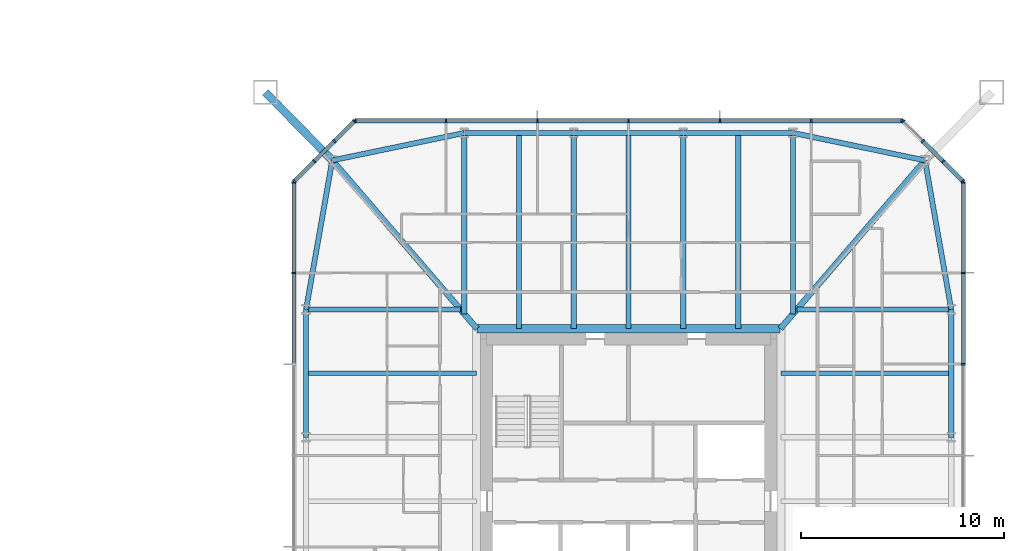
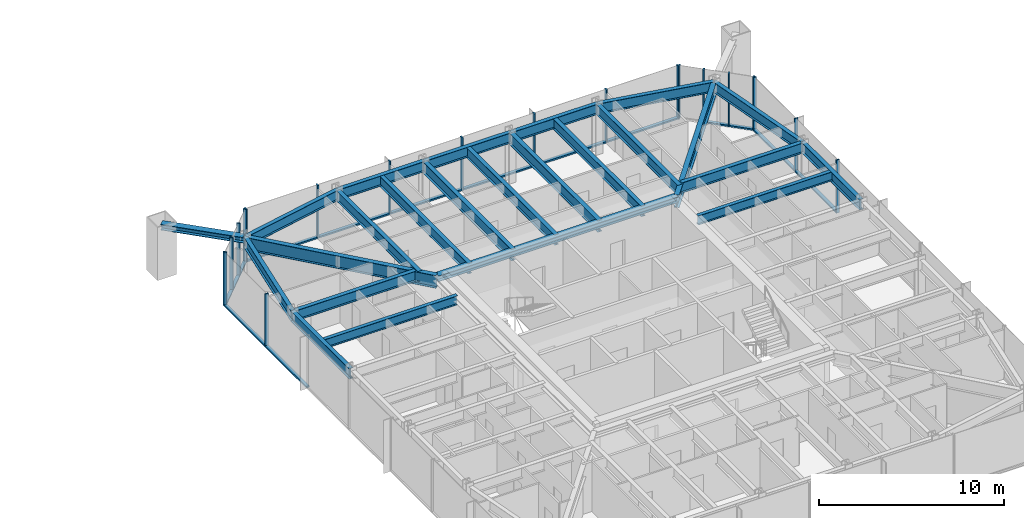
# One storey, part 10 of 26: 36 members, 23 beams, 5 elements without a shape of their own.
"""IFC4 building model written with IfcOpenShell, lengths in metres."""

from ifc_helpers import new_model, si_unit, direction, frame, origin, origin_2d, place, context, subcontext, project, spatial, rectangle, i_section, extrude, material, material_profile, profile_set, type_object, element, aggregate, save


model = new_model("IFC4")

# Units and contexts
model_context = context("Model", 3, precision=1e-05, world=origin(), true_north=direction((0.0, 1.0)))
body_context = subcontext(model_context, "Body", "Model", "MODEL_VIEW")
ifc_project = project(units=[si_unit("LENGTHUNIT", "METRE"), si_unit("AREAUNIT", "SQUARE_METRE"), si_unit("VOLUMEUNIT", "CUBIC_METRE"), si_unit("PLANEANGLEUNIT", "RADIAN"), si_unit("MASSUNIT", "GRAM", prefix="KILO")], contexts=[model_context])

# Site, building, storey
site_placement = place(None, origin())
site = spatial("IfcSite", under=ifc_project, at=site_placement, CompositionType="ELEMENT")
building_placement = place(site_placement, origin())
building = spatial("IfcBuilding", under=site, at=building_placement, Name="Iwan Alto Co-Living Towers", CompositionType="ELEMENT")
storey_placement = place(building_placement, frame((0.0, 0.0, 60.5)))
storey = spatial("IfcBuildingStorey", under=building, at=storey_placement, Name="L16", CompositionType="ELEMENT", Elevation=60.5)

# Curtain wall, members
ifc_material_1 = material(Name="Bronze aluminium unitised frame", Category="aluminium")
curtain_wall_type_1 = type_object("IfcCurtainWallType", Name="CURTAIN WALL CW-C", PredefinedType="NOTDEFINED", material=ifc_material_1)
curtain_wall_1_placement = place(storey_placement, origin())
curtain_wall_1 = element("IfcCurtainWall", 1, at=curtain_wall_1_placement, inside=storey, type_object=curtain_wall_type_1, Name="T2 curtain wall E L16", PredefinedType="NOTDEFINED")
ifc_material_2 = material(Name="Aluminium 6063-T6 bronze anodised", Category="aluminium")
ifc_material_profile_1 = material_profile(ifc_material_2, rectangle(XDim=0.199951171875, YDim=0.080078125, at=origin_2d()), Name="AL 80X200")
ifc_profile_set_1 = profile_set([ifc_material_profile_1], Name="Aluminium 6063-T6 bronze anodised")
member_type_1 = type_object("IfcMemberType", Name="CW-C MULLION 80X200", PredefinedType="MULLION", material=ifc_profile_set_1)
member_1_placement = place(storey_placement, frame((79.5, 6.75, 0.0), z_axis=(0.0, 0.0, 1.0), x_axis=(-1.0, 0.0, 0.0)))
member_1 = element("IfcMember", 2, at=member_1_placement, type_object=member_type_1, Name="CW-C mullion 6", PredefinedType="MULLION", context=body_context, shape_type="SweptSolid", body=[
    extrude(rectangle(XDim=0.199951171875, YDim=0.080078125, at=origin_2d()), origin(), (0.0, 0.0, 1.0), 3.5),
])
member_2_placement = place(storey_placement, frame((79.5, 11.25, 0.0), z_axis=(0.0, 0.0, 1.0), x_axis=(-1.0, 0.0, 0.0)))
member_2 = element("IfcMember", 3, at=member_2_placement, type_object=member_type_1, Name="CW-C mullion 7", PredefinedType="MULLION", context=body_context, shape_type="SweptSolid", body=[
    extrude(rectangle(XDim=0.199951171875, YDim=0.080078125, at=origin_2d()), origin(), (0.0, 0.0, 1.0), 3.5),
])
member_3_placement = place(storey_placement, frame((79.5, 15.7099609375, 0.0), z_axis=(0.0, 0.0, 1.0), x_axis=(-1.0, 0.0, 0.0)))
member_3 = element("IfcMember", 4, at=member_3_placement, type_object=member_type_1, Name="CW-C mullion 8", PredefinedType="MULLION", context=body_context, shape_type="SweptSolid", body=[
    extrude(rectangle(XDim=0.199951171875, YDim=0.080078125, at=origin_2d()), origin(), (0.0, 0.0, 1.0), 3.5),
])

curtain_wall_2_placement = place(storey_placement, origin())
curtain_wall_2 = element("IfcCurtainWall", 5, at=curtain_wall_2_placement, inside=storey, type_object=curtain_wall_type_1, Name="T2 curtain wall N L16", PredefinedType="NOTDEFINED")
member_4_placement = place(storey_placement, frame((76.4599609375, 18.75, 0.0), z_axis=(0.0, 0.0, 1.0), x_axis=(0.0, -1.0, 0.0)))
member_4 = element("IfcMember", 6, at=member_4_placement, type_object=member_type_1, Name="CW-C mullion 1", PredefinedType="MULLION", context=body_context, shape_type="SweptSolid", body=[
    extrude(rectangle(XDim=0.199951171875, YDim=0.080078125, at=origin_2d()), origin(), (0.0, 0.0, 1.0), 3.5),
])
member_5_placement = place(storey_placement, frame((72.0, 18.75, 0.0), z_axis=(0.0, 0.0, 1.0), x_axis=(0.0, -1.0, 0.0)))
member_5 = element("IfcMember", 7, at=member_5_placement, type_object=member_type_1, Name="CW-C mullion 2", PredefinedType="MULLION", context=body_context, shape_type="SweptSolid", body=[
    extrude(rectangle(XDim=0.199951171875, YDim=0.080078125, at=origin_2d()), origin(), (0.0, 0.0, 1.0), 3.5),
])
member_6_placement = place(storey_placement, frame((67.5, 18.75, 0.0), z_axis=(0.0, 0.0, 1.0), x_axis=(0.0, -1.0, 0.0)))
member_6 = element("IfcMember", 8, at=member_6_placement, type_object=member_type_1, Name="CW-C mullion 3", PredefinedType="MULLION", context=body_context, shape_type="SweptSolid", body=[
    extrude(rectangle(XDim=0.199951171875, YDim=0.080078125, at=origin_2d()), origin(), (0.0, 0.0, 1.0), 3.5),
])
member_7_placement = place(storey_placement, frame((63.0, 18.75, 0.0), z_axis=(0.0, 0.0, 1.0), x_axis=(0.0, -1.0, 0.0)))
member_7 = element("IfcMember", 9, at=member_7_placement, type_object=member_type_1, Name="CW-C mullion 4", PredefinedType="MULLION", context=body_context, shape_type="SweptSolid", body=[
    extrude(rectangle(XDim=0.199951171875, YDim=0.080078125, at=origin_2d()), origin(), (0.0, 0.0, 1.0), 3.5),
])
member_8_placement = place(storey_placement, frame((58.5, 18.75, 0.0), z_axis=(0.0, 0.0, 1.0), x_axis=(0.0, -1.0, 0.0)))
member_8 = element("IfcMember", 10, at=member_8_placement, type_object=member_type_1, Name="CW-C mullion 5", PredefinedType="MULLION", context=body_context, shape_type="SweptSolid", body=[
    extrude(rectangle(XDim=0.199951171875, YDim=0.080078125, at=origin_2d()), origin(), (0.0, 0.0, 1.0), 3.5),
])
member_9_placement = place(storey_placement, frame((54.0, 18.75, 0.0), z_axis=(0.0, 0.0, 1.0), x_axis=(0.0, -1.0, 0.0)))
member_9 = element("IfcMember", 11, at=member_9_placement, type_object=member_type_1, Name="CW-C mullion 6", PredefinedType="MULLION", context=body_context, shape_type="SweptSolid", body=[
    extrude(rectangle(XDim=0.199951171875, YDim=0.080078125, at=origin_2d()), origin(), (0.0, 0.0, 1.0), 3.5),
])
member_10_placement = place(storey_placement, frame((49.5400390625, 18.75, 0.0), z_axis=(0.0, 0.0, 1.0), x_axis=(0.0, -1.0, 0.0)))
member_10 = element("IfcMember", 12, at=member_10_placement, type_object=member_type_1, Name="CW-C mullion 7", PredefinedType="MULLION", context=body_context, shape_type="SweptSolid", body=[
    extrude(rectangle(XDim=0.199951171875, YDim=0.080078125, at=origin_2d()), origin(), (0.0, 0.0, 1.0), 3.5),
])

curtain_wall_3_placement = place(storey_placement, origin())
curtain_wall_3 = element("IfcCurtainWall", 13, at=curtain_wall_3_placement, inside=storey, type_object=curtain_wall_type_1, Name="T2 curtain wall W L16", PredefinedType="NOTDEFINED")
member_11_placement = place(storey_placement, frame((46.5, 15.7099609375, 0.0), z_axis=(0.0, 0.0, 1.0), x_axis=(1.0, 0.0, 0.0)))
member_11 = element("IfcMember", 14, at=member_11_placement, type_object=member_type_1, Name="CW-C mullion 1", PredefinedType="MULLION", context=body_context, shape_type="SweptSolid", body=[
    extrude(rectangle(XDim=0.199951171875, YDim=0.080078125, at=origin_2d()), origin(), (0.0, 0.0, 1.0), 3.5),
])
member_12_placement = place(storey_placement, frame((46.5, 11.25, 0.0), z_axis=(0.0, 0.0, 1.0), x_axis=(1.0, 0.0, 0.0)))
member_12 = element("IfcMember", 15, at=member_12_placement, type_object=member_type_1, Name="CW-C mullion 2", PredefinedType="MULLION", context=body_context, shape_type="SweptSolid", body=[
    extrude(rectangle(XDim=0.199951171875, YDim=0.080078125, at=origin_2d()), origin(), (0.0, 0.0, 1.0), 3.5),
])

# Member
ifc_material_3 = material(Name="Aluminium 6063-T6 bronze anodised", Category="aluminium")
ifc_material_profile_2 = material_profile(ifc_material_3, rectangle(XDim=0.199951171875, YDim=0.10009765625, at=origin_2d()), Name="AL 200X100")
ifc_profile_set_2 = profile_set([ifc_material_profile_2], Name="Aluminium 6063-T6 bronze anodised")
member_type_2 = type_object("IfcMemberType", Name="CW-C TRANSOM 200X100", PredefinedType="USERDEFINED", material=ifc_profile_set_2)
member_13_placement = place(storey_placement, frame((79.5, 6.7900390625, 0.050048828125), z_axis=(0.0, 1.0, 0.0), x_axis=(-1.0, 0.0, 0.0)))
member_13 = element("IfcMember", 16, at=member_13_placement, type_object=member_type_2, Name="CW-C transom 6.1", ObjectType="TRANSOM", PredefinedType="USERDEFINED", context=body_context, shape_type="SweptSolid", body=[
    extrude(rectangle(XDim=0.199951171875, YDim=0.10009765625, at=origin_2d()), origin(), (0.0, 0.0, 1.0), 4.419921875),
])

member_14_placement = place(storey_placement, frame((79.5, 11.2900390625, 0.050048828125), z_axis=(0.0, 1.0, 0.0), x_axis=(-1.0, 0.0, 0.0)))
member_14 = element("IfcMember", 17, at=member_14_placement, type_object=member_type_2, Name="CW-C transom 7.1", ObjectType="TRANSOM", PredefinedType="USERDEFINED", context=body_context, shape_type="SweptSolid", body=[
    extrude(rectangle(XDim=0.199951171875, YDim=0.10009765625, at=origin_2d()), origin(), (0.0, 0.0, 1.0), 4.3798828125),
])

aggregate(curtain_wall_1, [member_1, member_2, member_3, member_13, member_14])

member_15_placement = place(storey_placement, frame((76.419921875, 18.75, 0.050048828125), z_axis=(-1.0, 0.0, 0.0), x_axis=(0.0, -1.0, 0.0)))
member_15 = element("IfcMember", 18, at=member_15_placement, type_object=member_type_2, Name="CW-C transom 1.1", ObjectType="TRANSOM", PredefinedType="USERDEFINED", context=body_context, shape_type="SweptSolid", body=[
    extrude(rectangle(XDim=0.199951171875, YDim=0.10009765625, at=origin_2d()), origin(), (0.0, 0.0, 1.0), 4.3798828125),
])

member_16_placement = place(storey_placement, frame((71.9599609375, 18.75, 0.050048828125), z_axis=(-1.0, 0.0, 0.0), x_axis=(0.0, -1.0, 0.0)))
member_16 = element("IfcMember", 19, at=member_16_placement, type_object=member_type_2, Name="CW-C transom 2.1", ObjectType="TRANSOM", PredefinedType="USERDEFINED", context=body_context, shape_type="SweptSolid", body=[
    extrude(rectangle(XDim=0.199951171875, YDim=0.10009765625, at=origin_2d()), origin(), (0.0, 0.0, 1.0), 4.419921875),
])

member_17_placement = place(storey_placement, frame((67.4599609375, 18.75, 0.050048828125), z_axis=(-1.0, 0.0, 0.0), x_axis=(0.0, -1.0, 0.0)))
member_17 = element("IfcMember", 20, at=member_17_placement, type_object=member_type_2, Name="CW-C transom 3.1", ObjectType="TRANSOM", PredefinedType="USERDEFINED", context=body_context, shape_type="SweptSolid", body=[
    extrude(rectangle(XDim=0.199951171875, YDim=0.10009765625, at=origin_2d()), origin(), (0.0, 0.0, 1.0), 4.419921875),
])

member_18_placement = place(storey_placement, frame((62.9599609375, 18.75, 0.050048828125), z_axis=(-1.0, 0.0, 0.0), x_axis=(0.0, -1.0, 0.0)))
member_18 = element("IfcMember", 21, at=member_18_placement, type_object=member_type_2, Name="CW-C transom 4.1", ObjectType="TRANSOM", PredefinedType="USERDEFINED", context=body_context, shape_type="SweptSolid", body=[
    extrude(rectangle(XDim=0.199951171875, YDim=0.10009765625, at=origin_2d()), origin(), (0.0, 0.0, 1.0), 4.419921875),
])

member_19_placement = place(storey_placement, frame((58.4599609375, 18.75, 0.050048828125), z_axis=(-1.0, 0.0, 0.0), x_axis=(0.0, -1.0, 0.0)))
member_19 = element("IfcMember", 22, at=member_19_placement, type_object=member_type_2, Name="CW-C transom 5.1", ObjectType="TRANSOM", PredefinedType="USERDEFINED", context=body_context, shape_type="SweptSolid", body=[
    extrude(rectangle(XDim=0.199951171875, YDim=0.10009765625, at=origin_2d()), origin(), (0.0, 0.0, 1.0), 4.419921875),
])

member_20_placement = place(storey_placement, frame((53.9599609375, 18.75, 0.050048828125), z_axis=(-1.0, 0.0, 0.0), x_axis=(0.0, -1.0, 0.0)))
member_20 = element("IfcMember", 23, at=member_20_placement, type_object=member_type_2, Name="CW-C transom 6.1", ObjectType="TRANSOM", PredefinedType="USERDEFINED", context=body_context, shape_type="SweptSolid", body=[
    extrude(rectangle(XDim=0.199951171875, YDim=0.10009765625, at=origin_2d()), origin(), (0.0, 0.0, 1.0), 4.3798828125),
])

aggregate(curtain_wall_2, [member_4, member_5, member_6, member_7, member_8, member_9, member_10, member_15, member_16, member_17, member_18, member_19, member_20])

member_21_placement = place(storey_placement, frame((46.5, 15.669921875, 0.050048828125), z_axis=(0.0, -1.0, 0.0), x_axis=(1.0, 0.0, 0.0)))
member_21 = element("IfcMember", 24, at=member_21_placement, type_object=member_type_2, Name="CW-C transom 1.1", ObjectType="TRANSOM", PredefinedType="USERDEFINED", context=body_context, shape_type="SweptSolid", body=[
    extrude(rectangle(XDim=0.199951171875, YDim=0.10009765625, at=origin_2d()), origin(), (0.0, 0.0, 1.0), 4.3798828125),
])

member_22_placement = place(storey_placement, frame((46.5, 11.2099609375, 0.050048828125), z_axis=(0.0, -1.0, 0.0), x_axis=(1.0, 0.0, 0.0)))
member_22 = element("IfcMember", 25, at=member_22_placement, type_object=member_type_2, Name="CW-C transom 2.1", ObjectType="TRANSOM", PredefinedType="USERDEFINED", context=body_context, shape_type="SweptSolid", body=[
    extrude(rectangle(XDim=0.199951171875, YDim=0.10009765625, at=origin_2d()), origin(), (0.0, 0.0, 1.0), 4.419921875),
])

aggregate(curtain_wall_3, [member_11, member_12, member_21, member_22])

# Curtain wall, members
ifc_material_4 = material(Name="Bronze aluminium unitised frame", Category="aluminium")
curtain_wall_type_2 = type_object("IfcCurtainWallType", Name="CURTAIN WALL CW-D", PredefinedType="NOTDEFINED", material=ifc_material_4)
curtain_wall_4_placement = place(storey_placement, origin())
curtain_wall_4 = element("IfcCurtainWall", 26, at=curtain_wall_4_placement, inside=storey, type_object=curtain_wall_type_2, Name="T2 chamfer curtain wall NE L16", PredefinedType="NOTDEFINED")
ifc_material_5 = material(Name="Aluminium 6063-T6 bronze anodised", Category="aluminium")
ifc_material_profile_3 = material_profile(ifc_material_5, rectangle(XDim=0.199951171875, YDim=0.080078125, at=origin_2d()), Name="AL 80X200")
ifc_profile_set_3 = profile_set([ifc_material_profile_3], Name="Aluminium 6063-T6 bronze anodised")
member_type_3 = type_object("IfcMemberType", Name="CW-D MULLION 80X200", PredefinedType="MULLION", material=ifc_profile_set_3)
member_23_placement = place(storey_placement, frame((79.4716796875, 15.7783203125, 0.0), z_axis=(0.0, 0.0, 1.0), x_axis=(-0.707106781187, -0.707106781187, 0.0)))
member_23 = element("IfcMember", 27, at=member_23_placement, type_object=member_type_3, Name="CW-D mullion 1", PredefinedType="MULLION", context=body_context, shape_type="SweptSolid", body=[
    extrude(rectangle(XDim=0.199951171875, YDim=0.080078125, at=origin_2d()), origin(), (0.0, 0.0, 1.0), 3.5),
])
member_24_placement = place(storey_placement, frame((78.5, 16.75, 0.0), z_axis=(0.0, 0.0, 1.0), x_axis=(-0.707106781187, -0.707106781187, 0.0)))
member_24 = element("IfcMember", 28, at=member_24_placement, type_object=member_type_3, Name="CW-D mullion 2", PredefinedType="MULLION", context=body_context, shape_type="SweptSolid", body=[
    extrude(rectangle(XDim=0.199951171875, YDim=0.080078125, at=origin_2d()), origin(), (0.0, 0.0, 1.0), 3.5),
])
member_25_placement = place(storey_placement, frame((77.5, 17.75, 0.0), z_axis=(0.0, 0.0, 1.0), x_axis=(-0.707106781187, -0.707106781187, 0.0)))
member_25 = element("IfcMember", 29, at=member_25_placement, type_object=member_type_3, Name="CW-D mullion 3", PredefinedType="MULLION", context=body_context, shape_type="SweptSolid", body=[
    extrude(rectangle(XDim=0.199951171875, YDim=0.080078125, at=origin_2d()), origin(), (0.0, 0.0, 1.0), 3.5),
])
member_26_placement = place(storey_placement, frame((76.5283203125, 18.7216796875, 0.0), z_axis=(0.0, 0.0, 1.0), x_axis=(-0.707106781187, -0.707106781187, 0.0)))
member_26 = element("IfcMember", 30, at=member_26_placement, type_object=member_type_3, Name="CW-D mullion 4", PredefinedType="MULLION", context=body_context, shape_type="SweptSolid", body=[
    extrude(rectangle(XDim=0.199951171875, YDim=0.080078125, at=origin_2d()), origin(), (0.0, 0.0, 1.0), 3.5),
])

curtain_wall_5_placement = place(storey_placement, origin())
curtain_wall_5 = element("IfcCurtainWall", 31, at=curtain_wall_5_placement, inside=storey, type_object=curtain_wall_type_2, Name="T2 chamfer curtain wall NW L16", PredefinedType="NOTDEFINED")
member_27_placement = place(storey_placement, frame((49.4716796875, 18.7216796875, 0.0), z_axis=(0.0, 0.0, 1.0), x_axis=(0.707106781187, -0.707106781187, 0.0)))
member_27 = element("IfcMember", 32, at=member_27_placement, type_object=member_type_3, Name="CW-D mullion 1", PredefinedType="MULLION", context=body_context, shape_type="SweptSolid", body=[
    extrude(rectangle(XDim=0.199951171875, YDim=0.080078125, at=origin_2d()), origin(), (0.0, 0.0, 1.0), 3.5),
])
member_28_placement = place(storey_placement, frame((48.5, 17.75, 0.0), z_axis=(0.0, 0.0, 1.0), x_axis=(0.707106781187, -0.707106781187, 0.0)))
member_28 = element("IfcMember", 33, at=member_28_placement, type_object=member_type_3, Name="CW-D mullion 2", PredefinedType="MULLION", context=body_context, shape_type="SweptSolid", body=[
    extrude(rectangle(XDim=0.199951171875, YDim=0.080078125, at=origin_2d()), origin(), (0.0, 0.0, 1.0), 3.5),
])
member_29_placement = place(storey_placement, frame((47.5, 16.75, 0.0), z_axis=(0.0, 0.0, 1.0), x_axis=(0.707106781187, -0.707106781187, 0.0)))
member_29 = element("IfcMember", 34, at=member_29_placement, type_object=member_type_3, Name="CW-D mullion 3", PredefinedType="MULLION", context=body_context, shape_type="SweptSolid", body=[
    extrude(rectangle(XDim=0.199951171875, YDim=0.080078125, at=origin_2d()), origin(), (0.0, 0.0, 1.0), 3.5),
])
member_30_placement = place(storey_placement, frame((46.5283203125, 15.7783203125, 0.0), z_axis=(0.0, 0.0, 1.0), x_axis=(0.707106781187, -0.707106781187, 0.0)))
member_30 = element("IfcMember", 35, at=member_30_placement, type_object=member_type_3, Name="CW-D mullion 4", PredefinedType="MULLION", context=body_context, shape_type="SweptSolid", body=[
    extrude(rectangle(XDim=0.199951171875, YDim=0.080078125, at=origin_2d()), origin(), (0.0, 0.0, 1.0), 3.5),
])

# Member
ifc_material_6 = material(Name="Aluminium 6063-T6 bronze anodised", Category="aluminium")
ifc_material_profile_4 = material_profile(ifc_material_6, rectangle(XDim=0.199951171875, YDim=0.10009765625, at=origin_2d()), Name="AL 200X100")
ifc_profile_set_4 = profile_set([ifc_material_profile_4], Name="Aluminium 6063-T6 bronze anodised")
member_type_4 = type_object("IfcMemberType", Name="CW-D TRANSOM 200X100", PredefinedType="USERDEFINED", material=ifc_profile_set_4)
member_31_placement = place(storey_placement, frame((79.443359375, 15.806640625, 0.050048828125), z_axis=(-0.707106781187, 0.707106781187, 0.0), x_axis=(-0.707106781187, -0.707106781187, 0.0)))
member_31 = element("IfcMember", 36, at=member_31_placement, type_object=member_type_4, Name="CW-D transom 1.1", ObjectType="TRANSOM", PredefinedType="USERDEFINED", context=body_context, shape_type="SweptSolid", body=[
    extrude(rectangle(XDim=0.199951171875, YDim=0.10009765625, at=origin_2d()), origin(), (0.0, 0.0, 1.0), 1.2939453125),
])

member_32_placement = place(storey_placement, frame((78.4716796875, 16.7783203125, 0.050048828125), z_axis=(-0.707106781187, 0.707106781187, 0.0), x_axis=(-0.707106781187, -0.707106781187, 0.0)))
member_32 = element("IfcMember", 37, at=member_32_placement, type_object=member_type_4, Name="CW-D transom 2.1", ObjectType="TRANSOM", PredefinedType="USERDEFINED", context=body_context, shape_type="SweptSolid", body=[
    extrude(rectangle(XDim=0.199951171875, YDim=0.10009765625, at=origin_2d()), origin(), (0.0, 0.0, 1.0), 1.334228515625),
])

aggregate(curtain_wall_4, [member_23, member_24, member_25, member_26, member_31, member_32])

member_33_placement = place(storey_placement, frame((49.443359375, 18.693359375, 0.050048828125), z_axis=(-0.707106781187, -0.707106781187, 0.0), x_axis=(0.707106781187, -0.707106781187, 0.0)))
member_33 = element("IfcMember", 38, at=member_33_placement, type_object=member_type_4, Name="CW-D transom 1.1", ObjectType="TRANSOM", PredefinedType="USERDEFINED", context=body_context, shape_type="SweptSolid", body=[
    extrude(rectangle(XDim=0.199951171875, YDim=0.10009765625, at=origin_2d()), origin(), (0.0, 0.0, 1.0), 1.2939453125),
])

member_34_placement = place(storey_placement, frame((48.4716796875, 17.7216796875, 0.050048828125), z_axis=(-0.707106781187, -0.707106781187, 0.0), x_axis=(0.707106781187, -0.707106781187, 0.0)))
member_34 = element("IfcMember", 39, at=member_34_placement, type_object=member_type_4, Name="CW-D transom 2.1", ObjectType="TRANSOM", PredefinedType="USERDEFINED", context=body_context, shape_type="SweptSolid", body=[
    extrude(rectangle(XDim=0.199951171875, YDim=0.10009765625, at=origin_2d()), origin(), (0.0, 0.0, 1.0), 1.334228515625),
])

member_35_placement = place(storey_placement, frame((47.4716796875, 16.7216796875, 0.050048828125), z_axis=(-0.707106781187, -0.707106781187, 0.0), x_axis=(0.707106781187, -0.707106781187, 0.0)))
member_35 = element("IfcMember", 40, at=member_35_placement, type_object=member_type_4, Name="CW-D transom 3.1", ObjectType="TRANSOM", PredefinedType="USERDEFINED", context=body_context, shape_type="SweptSolid", body=[
    extrude(rectangle(XDim=0.199951171875, YDim=0.10009765625, at=origin_2d()), origin(), (0.0, 0.0, 1.0), 1.2939453125),
])

aggregate(curtain_wall_5, [member_27, member_28, member_29, member_30, member_33, member_34, member_35])

# Beams
ifc_material_7 = material(Name="Steel ASTM A992 Gr 50", Category="steel")
ifc_material_profile_5 = material_profile(ifc_material_7, i_section(OverallWidth=0.398681640625, OverallDepth=0.385986328125, WebThickness=0.02099609375, FlangeThickness=0.033203125, at=origin_2d()), Name="W14X176")
ifc_profile_set_5 = profile_set([ifc_material_profile_5], Name="Steel ASTM A992 Gr 50")
beam_type_1 = type_object("IfcBeamType", Name="T2 CORE LEDGER BEAM W14X176", PredefinedType="BEAM", material=ifc_profile_set_5)
beam_1_placement = place(storey_placement, frame((70.471435546875, 8.49951171875, 3.076904296875), z_axis=(-1.0, 0.0, 0.0), x_axis=(0.0, -1.0, 0.0)))
element("IfcBeam", 41, at=beam_1_placement, inside=storey, type_object=beam_type_1, Name="T2 core ledger beam N L17", PredefinedType="BEAM", context=body_context, shape_type="SweptSolid", body=[
    extrude(i_section(OverallWidth=0.398681640625, OverallDepth=0.385986328125, WebThickness=0.02099609375, FlangeThickness=0.033203125, at=origin_2d()), origin(), (0.0, 0.0, 1.0), 14.94287109375),
])
ifc_material_8 = material(Name="Steel ASTM A992 Gr 50", Category="steel")
ifc_material_profile_6 = material_profile(ifc_material_8, i_section(OverallWidth=0.2919921875, OverallDepth=0.8408203125, WebThickness=0.0146484375, FlangeThickness=0.021728515625, at=origin_2d()), Name="W33X130")
ifc_profile_set_6 = profile_set([ifc_material_profile_6], Name="Steel ASTM A992 Gr 50")
beam_type_2 = type_object("IfcBeamType", Name="T2 CORNER GIRDER W33X130", PredefinedType="BEAM", material=ifc_profile_set_6)
for number, where, z_axis, x_axis, name in (
    (42, (77.606201171875, 16.797119140625, 2.849609375), (-0.651977452133, -0.758238354286, 0.0), (0.758238354286, -0.651977452133, 0.0), "T2 corner girder CNE L17"),
    (43, (48.393798828125, 16.797119140625, 2.849609375), (0.651977452133, -0.758238354286, 0.0), (0.758238354286, 0.651977452133, 0.0), "T2 corner girder CNW L17"),
):
    element("IfcBeam", number, at=place(storey_placement, frame(where, z_axis=z_axis, x_axis=x_axis)), inside=storey, type_object=beam_type_2, Name=name, PredefinedType="BEAM", context=body_context, shape_type="SweptSolid", body=[
        extrude(i_section(OverallWidth=0.2919921875, OverallDepth=0.8408203125, WebThickness=0.0146484375, FlangeThickness=0.021728515625, at=origin_2d()), origin(), (0.0, 0.0, 1.0), 10.943359375),
    ])
ifc_material_9 = material(Name="Steel ASTM A992 Gr 50", Category="steel")
ifc_material_profile_7 = material_profile(ifc_material_9, i_section(OverallWidth=0.25390625, OverallDepth=0.683349609375, WebThickness=0.012451171875, FlangeThickness=0.018798828125, at=origin_2d()), Name="W27X94")
ifc_profile_set_7 = profile_set([ifc_material_profile_7], Name="Steel ASTM A992 Gr 50")
beam_type_3 = type_object("IfcBeamType", Name="T2 EDGE BEAM W27X94", PredefinedType="BEAM", material=ifc_profile_set_7)
beam_2_placement = place(storey_placement, frame((78.89990234375, 3.14990234375, 2.928466796875), z_axis=(0.0, 1.0, 0.0), x_axis=(-1.0, 0.0, 0.0)))
element("IfcBeam", 44, at=beam_2_placement, inside=storey, type_object=beam_type_3, Name="T2 edge beam E3 L17", PredefinedType="BEAM", context=body_context, shape_type="SweptSolid", body=[
    extrude(i_section(OverallWidth=0.25390625, OverallDepth=0.683349609375, WebThickness=0.012451171875, FlangeThickness=0.018798828125, at=origin_2d()), origin(), (0.0, 0.0, 1.0), 6.300048828125),
])
beam_3_placement = place(storey_placement, frame((78.89990234375, 9.449951171875, 2.928466796875), z_axis=(-0.173413807283, 0.98484905008, 0.0), x_axis=(-0.98484905008, -0.173413807283, 0.0)))
element("IfcBeam", 45, at=beam_3_placement, inside=storey, type_object=beam_type_3, Name="T2 edge beam E4 L17", PredefinedType="BEAM", context=body_context, shape_type="SweptSolid", body=[
    extrude(i_section(OverallWidth=0.25390625, OverallDepth=0.683349609375, WebThickness=0.012451171875, FlangeThickness=0.018798828125, at=origin_2d()), origin(), (0.0, 0.0, 1.0), 7.460205078125),
])
beam_4_placement = place(storey_placement, frame((77.606201171875, 16.797119140625, 2.928466796875), z_axis=(-0.979060119423, 0.203571320564, 0.0), x_axis=(-0.203571320564, -0.979060119423, 0.0)))
element("IfcBeam", 46, at=beam_4_placement, inside=storey, type_object=beam_type_3, Name="T2 edge beam CNE L17", PredefinedType="BEAM", context=body_context, shape_type="SweptSolid", body=[
    extrude(i_section(OverallWidth=0.25390625, OverallDepth=0.683349609375, WebThickness=0.012451171875, FlangeThickness=0.018798828125, at=origin_2d()), origin(), (0.0, 0.0, 1.0), 6.645263671875),
])
beam_5_placement = place(storey_placement, frame((71.10009765625, 18.14990234375, 2.928466796875), z_axis=(-1.0, 0.0, 0.0), x_axis=(0.0, -1.0, 0.0)))
element("IfcBeam", 47, at=beam_5_placement, inside=storey, type_object=beam_type_3, Name="T2 edge beam N1 L17", PredefinedType="BEAM", context=body_context, shape_type="SweptSolid", body=[
    extrude(i_section(OverallWidth=0.25390625, OverallDepth=0.683349609375, WebThickness=0.012451171875, FlangeThickness=0.018798828125, at=origin_2d()), origin(), (0.0, 0.0, 1.0), 5.400146484375),
])
beam_6_placement = place(storey_placement, frame((65.699951171875, 18.14990234375, 2.928466796875), z_axis=(-1.0, 0.0, 0.0), x_axis=(0.0, -1.0, 0.0)))
element("IfcBeam", 48, at=beam_6_placement, inside=storey, type_object=beam_type_3, Name="T2 edge beam N2 L17", PredefinedType="BEAM", context=body_context, shape_type="SweptSolid", body=[
    extrude(i_section(OverallWidth=0.25390625, OverallDepth=0.683349609375, WebThickness=0.012451171875, FlangeThickness=0.018798828125, at=origin_2d()), origin(), (0.0, 0.0, 1.0), 5.39990234375),
])
beam_7_placement = place(storey_placement, frame((60.300048828125, 18.14990234375, 2.928466796875), z_axis=(-1.0, 0.0, 0.0), x_axis=(0.0, -1.0, 0.0)))
element("IfcBeam", 49, at=beam_7_placement, inside=storey, type_object=beam_type_3, Name="T2 edge beam N3 L17", PredefinedType="BEAM", context=body_context, shape_type="SweptSolid", body=[
    extrude(i_section(OverallWidth=0.25390625, OverallDepth=0.683349609375, WebThickness=0.012451171875, FlangeThickness=0.018798828125, at=origin_2d()), origin(), (0.0, 0.0, 1.0), 5.400146484375),
])
beam_8_placement = place(storey_placement, frame((54.89990234375, 18.14990234375, 2.928466796875), z_axis=(-0.979060119423, -0.203571320564, 0.0), x_axis=(0.203571320564, -0.979060119423, 0.0)))
element("IfcBeam", 50, at=beam_8_placement, inside=storey, type_object=beam_type_3, Name="T2 edge beam N4 L17", PredefinedType="BEAM", context=body_context, shape_type="SweptSolid", body=[
    extrude(i_section(OverallWidth=0.25390625, OverallDepth=0.683349609375, WebThickness=0.012451171875, FlangeThickness=0.018798828125, at=origin_2d()), origin(), (0.0, 0.0, 1.0), 6.645263671875),
])
beam_9_placement = place(storey_placement, frame((48.393798828125, 16.797119140625, 2.928466796875), z_axis=(-0.173413807283, -0.98484905008, 0.0), x_axis=(0.98484905008, -0.173413807283, 0.0)))
element("IfcBeam", 51, at=beam_9_placement, inside=storey, type_object=beam_type_3, Name="T2 edge beam CNW L17", PredefinedType="BEAM", context=body_context, shape_type="SweptSolid", body=[
    extrude(i_section(OverallWidth=0.25390625, OverallDepth=0.683349609375, WebThickness=0.012451171875, FlangeThickness=0.018798828125, at=origin_2d()), origin(), (0.0, 0.0, 1.0), 7.460205078125),
])
beam_10_placement = place(storey_placement, frame((47.10009765625, 9.449951171875, 2.928466796875), z_axis=(0.0, -1.0, 0.0), x_axis=(1.0, 0.0, 0.0)))
element("IfcBeam", 52, at=beam_10_placement, inside=storey, type_object=beam_type_3, Name="T2 edge beam W1 L17", PredefinedType="BEAM", context=body_context, shape_type="SweptSolid", body=[
    extrude(i_section(OverallWidth=0.25390625, OverallDepth=0.683349609375, WebThickness=0.012451171875, FlangeThickness=0.018798828125, at=origin_2d()), origin(), (0.0, 0.0, 1.0), 6.300048828125),
])

# Member
ifc_material_10 = material(Name="Steel ASTM A992 Gr 50", Category="steel")
ifc_material_profile_8 = material_profile(ifc_material_10, i_section(OverallWidth=0.393798828125, OverallDepth=0.3759765625, WebThickness=0.017333984375, FlangeThickness=0.027587890625, at=origin_2d()), Name="W14X145")
ifc_profile_set_8 = profile_set([ifc_material_profile_8], Name="Steel ASTM A992 Gr 50")
member_type_5 = type_object("IfcMemberType", Name="T2 MEGA COLUMN FLOOR TIE W14X145", PredefinedType="STRUT", material=ifc_profile_set_8)
member_36_placement = place(storey_placement, frame((45.10009765625, 20.14990234375, 3.08203125), z_axis=(0.700793469544, -0.71336422187, 0.0), x_axis=(0.71336422187, 0.700793469544, 0.0)))
element("IfcMember", 53, at=member_36_placement, inside=storey, type_object=member_type_5, Name="T2 mega column floor tie NW L17", PredefinedType="STRUT", context=body_context, shape_type="SweptSolid", body=[
    extrude(i_section(OverallWidth=0.393798828125, OverallDepth=0.3759765625, WebThickness=0.017333984375, FlangeThickness=0.027587890625, at=origin_2d()), origin(), (0.0, 0.0, 1.0), 4.699951171875),
])

# Beams
ifc_material_11 = material(Name="Steel ASTM A992 Gr 50", Category="steel")
ifc_material_profile_9 = material_profile(ifc_material_11, i_section(OverallWidth=0.25390625, OverallDepth=0.683349609375, WebThickness=0.012451171875, FlangeThickness=0.018798828125, at=origin_2d()), Name="W27X94")
ifc_profile_set_9 = profile_set([ifc_material_profile_9], Name="Steel ASTM A992 Gr 50")
beam_type_4 = type_object("IfcBeamType", Name="T2 RADIAL BEAM W27X94", PredefinedType="BEAM", material=ifc_profile_set_9)
beam_11_placement = place(storey_placement, frame((78.89990234375, 9.449951171875, 2.928466796875), z_axis=(-1.0, 0.0, 0.0), x_axis=(0.0, -1.0, 0.0)))
element("IfcBeam", 54, at=beam_11_placement, inside=storey, type_object=beam_type_4, Name="T2 radial beam E4 L17", PredefinedType="BEAM", context=body_context, shape_type="SweptSolid", body=[
    extrude(i_section(OverallWidth=0.25390625, OverallDepth=0.683349609375, WebThickness=0.012451171875, FlangeThickness=0.018798828125, at=origin_2d()), origin(), (0.0, 0.0, 1.0), 7.611083984375),
])
for number, where, z_axis, x_axis, name in (
    (55, (71.10009765625, 18.14990234375, 2.928466796875), (0.0, -1.0, 0.0), (1.0, 0.0, 0.0), "T2 radial beam N1 L17"),
    (56, (54.89990234375, 18.14990234375, 2.928466796875), (0.0, -1.0, 0.0), (1.0, 0.0, 0.0), "T2 radial beam N4 L17"),
):
    element("IfcBeam", number, at=place(storey_placement, frame(where, z_axis=z_axis, x_axis=x_axis)), inside=storey, type_object=beam_type_4, Name=name, PredefinedType="BEAM", context=body_context, shape_type="SweptSolid", body=[
        extrude(i_section(OverallWidth=0.25390625, OverallDepth=0.683349609375, WebThickness=0.012451171875, FlangeThickness=0.018798828125, at=origin_2d()), origin(), (0.0, 0.0, 1.0), 8.91943359375),
    ])
beam_12_placement = place(storey_placement, frame((47.10009765625, 9.449951171875, 2.928466796875), z_axis=(1.0, 0.0, 0.0), x_axis=(0.0, 1.0, 0.0)))
element("IfcBeam", 57, at=beam_12_placement, inside=storey, type_object=beam_type_4, Name="T2 radial beam W1 L17", PredefinedType="BEAM", context=body_context, shape_type="SweptSolid", body=[
    extrude(i_section(OverallWidth=0.25390625, OverallDepth=0.683349609375, WebThickness=0.012451171875, FlangeThickness=0.018798828125, at=origin_2d()), origin(), (0.0, 0.0, 1.0), 7.611083984375),
])
ifc_material_12 = material(Name="Steel ASTM A992 Gr 50", Category="steel")
ifc_material_profile_10 = material_profile(ifc_material_12, i_section(OverallWidth=0.2666015625, OverallDepth=0.761962890625, WebThickness=0.014404296875, FlangeThickness=0.021484375, at=origin_2d()), Name="W30X116")
ifc_profile_set_10 = profile_set([ifc_material_profile_10], Name="Steel ASTM A992 Gr 50")
beam_type_5 = type_object("IfcBeamType", Name="T2 RADIAL BEAM W30X116", PredefinedType="BEAM", material=ifc_profile_set_10)
for number, where, z_axis, x_axis, name in (
    (58, (65.699951171875, 18.14990234375, 2.888916015625), (0.0, -1.0, 0.0), (1.0, 0.0, 0.0), "T2 radial beam N2 L17"),
    (59, (60.300048828125, 18.14990234375, 2.888916015625), (0.0, -1.0, 0.0), (1.0, 0.0, 0.0), "T2 radial beam N3 L17"),
):
    element("IfcBeam", number, at=place(storey_placement, frame(where, z_axis=z_axis, x_axis=x_axis)), inside=storey, type_object=beam_type_5, Name=name, PredefinedType="BEAM", context=body_context, shape_type="SweptSolid", body=[
        extrude(i_section(OverallWidth=0.2666015625, OverallDepth=0.761962890625, WebThickness=0.014404296875, FlangeThickness=0.021484375, at=origin_2d()), origin(), (0.0, 0.0, 1.0), 9.650390625),
    ])
ifc_material_13 = material(Name="Steel ASTM A992 Gr 50", Category="steel")
ifc_material_profile_11 = material_profile(ifc_material_13, i_section(OverallWidth=0.228271484375, OverallDepth=0.607177734375, WebThickness=0.01123046875, FlangeThickness=0.017333984375, at=origin_2d()), Name="W24X76")
ifc_profile_set_11 = profile_set([ifc_material_profile_11], Name="Steel ASTM A992 Gr 50")
beam_type_6 = type_object("IfcBeamType", Name="T2 SECONDARY BEAM W24X76", PredefinedType="JOIST", material=ifc_profile_set_11)
for number, where, z_axis, x_axis, name in (
    (60, (78.89990234375, 6.300048828125, 2.966552734375), (-1.0, 0.0, 0.0), (0.0, -1.0, 0.0), "T2 secondary beam E3 L17"),
    (61, (47.10009765625, 6.300048828125, 2.966552734375), (1.0, 0.0, 0.0), (0.0, 1.0, 0.0), "T2 secondary beam W1 L17"),
):
    element("IfcBeam", number, at=place(storey_placement, frame(where, z_axis=z_axis, x_axis=x_axis)), inside=storey, type_object=beam_type_6, Name=name, PredefinedType="JOIST", context=body_context, shape_type="SweptSolid", body=[
        extrude(i_section(OverallWidth=0.228271484375, OverallDepth=0.607177734375, WebThickness=0.01123046875, FlangeThickness=0.017333984375, at=origin_2d()), origin(), (0.0, 0.0, 1.0), 8.400390625),
    ])
ifc_material_14 = material(Name="Steel ASTM A992 Gr 50", Category="steel")
ifc_material_profile_12 = material_profile(ifc_material_14, i_section(OverallWidth=0.25390625, OverallDepth=0.683349609375, WebThickness=0.012451171875, FlangeThickness=0.018798828125, at=origin_2d()), Name="W27X94")
ifc_profile_set_12 = profile_set([ifc_material_profile_12], Name="Steel ASTM A992 Gr 50")
beam_type_7 = type_object("IfcBeamType", Name="T2 SECONDARY BEAM W27X94", PredefinedType="JOIST", material=ifc_profile_set_12)
for number, where, z_axis, x_axis, name in (
    (62, (68.39990234375, 18.14990234375, 2.928466796875), (0.0, -1.0, 0.0), (1.0, 0.0, 0.0), "T2 secondary beam N1 L17"),
    (63, (63.0, 18.14990234375, 2.928466796875), (0.0, -1.0, 0.0), (1.0, 0.0, 0.0), "T2 secondary beam N2 L17"),
    (64, (57.60009765625, 18.14990234375, 2.928466796875), (0.0, -1.0, 0.0), (1.0, 0.0, 0.0), "T2 secondary beam N3 L17"),
):
    element("IfcBeam", number, at=place(storey_placement, frame(where, z_axis=z_axis, x_axis=x_axis)), inside=storey, type_object=beam_type_7, Name=name, PredefinedType="JOIST", context=body_context, shape_type="SweptSolid", body=[
        extrude(i_section(OverallWidth=0.25390625, OverallDepth=0.683349609375, WebThickness=0.012451171875, FlangeThickness=0.018798828125, at=origin_2d()), origin(), (0.0, 0.0, 1.0), 9.650390625),
    ])

save(model, "model.ifc")
